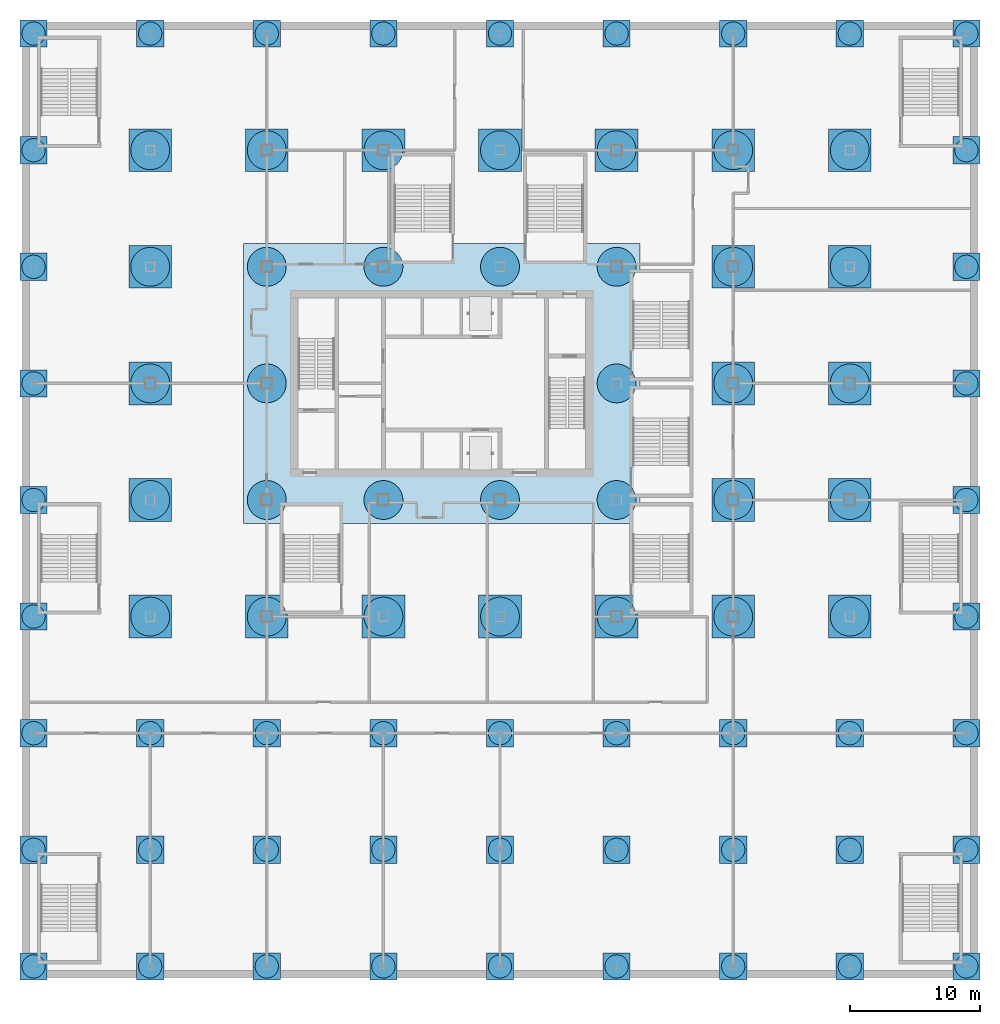
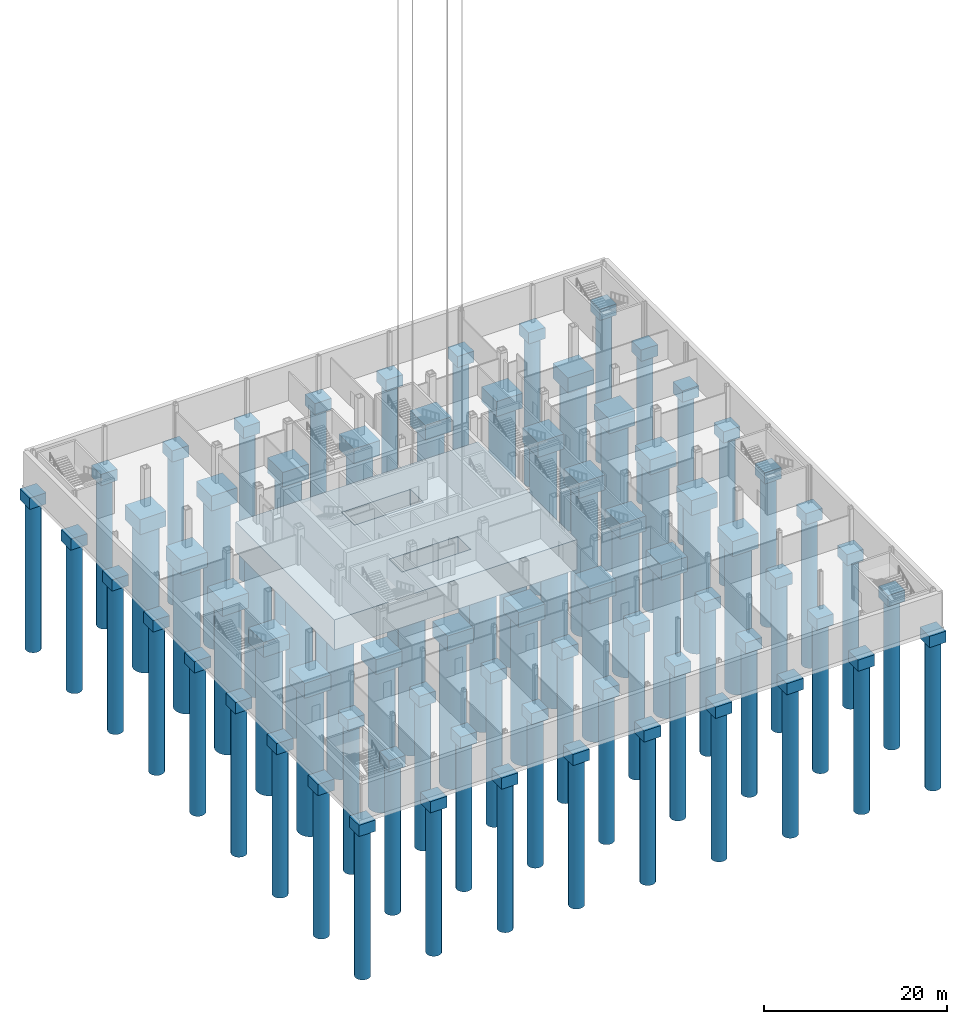
# One storey, part 1 of 28: 79 piles, 70 footings.
"""IFC4 building model written with IfcOpenShell, lengths in metres."""

from ifc_helpers import new_model, si_unit, direction, frame, origin, origin_2d, place, context, subcontext, project, spatial, polyline, rectangle, circle, outline, extrude, material, material_profile, profile_set, type_object, element, save


model = new_model("IFC4")

# Units and contexts
model_context = context("Model", 3, precision=1e-05, world=origin(), true_north=direction((0.0, 1.0)))
body_context = subcontext(model_context, "Body", "Model", "MODEL_VIEW")
ifc_project = project(units=[si_unit("LENGTHUNIT", "METRE"), si_unit("AREAUNIT", "SQUARE_METRE"), si_unit("VOLUMEUNIT", "CUBIC_METRE"), si_unit("PLANEANGLEUNIT", "RADIAN"), si_unit("MASSUNIT", "GRAM", prefix="KILO")], contexts=[model_context])

# Site, building, storey
site_placement = place(None, origin())
site = spatial("IfcSite", under=ifc_project, at=site_placement, CompositionType="ELEMENT")
building_placement = place(site_placement, origin())
building = spatial("IfcBuilding", under=site, at=building_placement, Name="Loomwork Tower", CompositionType="ELEMENT")
storey_placement = place(building_placement, frame((0.0, 0.0, -10.5)))
storey = spatial("IfcBuildingStorey", under=building, at=storey_placement, Name="B2", CompositionType="ELEMENT", Elevation=-10.5)

# Piles
ifc_material_1 = material(Name="Concrete 6000 psi (41 MPa) caisson", Category="concrete")
ifc_material_profile_1 = material_profile(ifc_material_1, circle(Radius=0.89990234375, at=origin_2d()), Name="D1800")
ifc_profile_set_1 = profile_set([ifc_material_profile_1], Name="Concrete 6000 psi (41 MPa) caisson")
pile_type_1 = type_object("IfcPileType", Name="Caisson 1800", PredefinedType="BORED", material=ifc_profile_set_1)
for number, where, z_axis, x_axis, name in (
    (1, (-9.0, -27.0, -2.0), (0.0, 0.0, -1.0), (1.0, 0.0, 0.0), "Caisson A/1"),
    (2, (-9.0, -18.0, -2.0), (0.0, 0.0, -1.0), (1.0, 0.0, 0.0), "Caisson B/1"),
    (3, (-9.0, -9.0, -2.0), (0.0, 0.0, -1.0), (1.0, 0.0, 0.0), "Caisson C/1"),
    (4, (-9.0, 0.0, -2.0), (0.0, 0.0, -1.0), (1.0, 0.0, 0.0), "Caisson D/1"),
    (5, (-9.0, 9.0, -2.0), (0.0, 0.0, -1.0), (1.0, 0.0, 0.0), "Caisson E/1"),
    (6, (-9.0, 18.0, -2.0), (0.0, 0.0, -1.0), (1.0, 0.0, 0.0), "Caisson F/1"),
    (7, (-9.0, 27.0, -2.0), (0.0, 0.0, -1.0), (1.0, 0.0, 0.0), "Caisson G/1"),
    (8, (-9.0, 36.0, -2.0), (0.0, 0.0, -1.0), (1.0, 0.0, 0.0), "Caisson H/1"),
    (9, (-9.0, 45.0, -2.0), (0.0, 0.0, -1.0), (1.0, 0.0, 0.0), "Caisson J/1"),
    (10, (0.0, -27.0, -2.0), (0.0, 0.0, -1.0), (1.0, 0.0, 0.0), "Caisson A/2"),
    (11, (0.0, -18.0, -2.0), (0.0, 0.0, -1.0), (1.0, 0.0, 0.0), "Caisson B/2"),
    (12, (0.0, -9.0, -2.0), (0.0, 0.0, -1.0), (1.0, 0.0, 0.0), "Caisson C/2"),
    (13, (0.0, 45.0, -2.0), (0.0, 0.0, -1.0), (1.0, 0.0, 0.0), "Caisson J/2"),
    (14, (9.0, -27.0, -2.0), (0.0, 0.0, -1.0), (1.0, 0.0, 0.0), "Caisson A/3"),
    (15, (9.0, -18.0, -2.0), (0.0, 0.0, -1.0), (1.0, 0.0, 0.0), "Caisson B/3"),
    (16, (9.0, -9.0, -2.0), (0.0, 0.0, -1.0), (1.0, 0.0, 0.0), "Caisson C/3"),
    (17, (9.0, 45.0, -2.0), (0.0, 0.0, -1.0), (1.0, 0.0, 0.0), "Caisson J/3"),
    (18, (18.0, -27.0, -2.0), (0.0, 0.0, -1.0), (1.0, 0.0, 0.0), "Caisson A/4"),
    (19, (18.0, -18.0, -2.0), (0.0, 0.0, -1.0), (1.0, 0.0, 0.0), "Caisson B/4"),
    (20, (18.0, -9.0, -2.0), (0.0, 0.0, -1.0), (1.0, 0.0, 0.0), "Caisson C/4"),
    (21, (18.0, 45.0, -2.0), (0.0, 0.0, -1.0), (1.0, 0.0, 0.0), "Caisson J/4"),
    (22, (27.0, -27.0, -2.0), (0.0, 0.0, -1.0), (1.0, 0.0, 0.0), "Caisson A/5"),
    (23, (27.0, -18.0, -2.0), (0.0, 0.0, -1.0), (1.0, 0.0, 0.0), "Caisson B/5"),
    (24, (27.0, -9.0, -2.0), (0.0, 0.0, -1.0), (1.0, 0.0, 0.0), "Caisson C/5"),
    (25, (27.0, 45.0, -2.0), (0.0, 0.0, -1.0), (1.0, 0.0, 0.0), "Caisson J/5"),
    (26, (36.0, -27.0, -2.0), (0.0, 0.0, -1.0), (1.0, 0.0, 0.0), "Caisson A/6"),
    (27, (36.0, -18.0, -2.0), (0.0, 0.0, -1.0), (1.0, 0.0, 0.0), "Caisson B/6"),
    (28, (36.0, -9.0, -2.0), (0.0, 0.0, -1.0), (1.0, 0.0, 0.0), "Caisson C/6"),
    (29, (36.0, 45.0, -2.0), (0.0, 0.0, -1.0), (1.0, 0.0, 0.0), "Caisson J/6"),
    (30, (45.0, -27.0, -2.0), (0.0, 0.0, -1.0), (1.0, 0.0, 0.0), "Caisson A/7"),
    (31, (45.0, -18.0, -2.0), (0.0, 0.0, -1.0), (1.0, 0.0, 0.0), "Caisson B/7"),
    (32, (45.0, -9.0, -2.0), (0.0, 0.0, -1.0), (1.0, 0.0, 0.0), "Caisson C/7"),
    (33, (45.0, 45.0, -2.0), (0.0, 0.0, -1.0), (1.0, 0.0, 0.0), "Caisson J/7"),
    (34, (54.0, -27.0, -2.0), (0.0, 0.0, -1.0), (1.0, 0.0, 0.0), "Caisson A/8"),
    (35, (54.0, -18.0, -2.0), (0.0, 0.0, -1.0), (1.0, 0.0, 0.0), "Caisson B/8"),
    (36, (54.0, -9.0, -2.0), (0.0, 0.0, -1.0), (1.0, 0.0, 0.0), "Caisson C/8"),
    (37, (54.0, 45.0, -2.0), (0.0, 0.0, -1.0), (1.0, 0.0, 0.0), "Caisson J/8"),
    (38, (63.0, -27.0, -2.0), (0.0, 0.0, -1.0), (1.0, 0.0, 0.0), "Caisson A/9"),
    (39, (63.0, -18.0, -2.0), (0.0, 0.0, -1.0), (1.0, 0.0, 0.0), "Caisson B/9"),
    (40, (63.0, -9.0, -2.0), (0.0, 0.0, -1.0), (1.0, 0.0, 0.0), "Caisson C/9"),
    (41, (63.0, 0.0, -2.0), (0.0, 0.0, -1.0), (1.0, 0.0, 0.0), "Caisson D/9"),
    (42, (63.0, 9.0, -2.0), (0.0, 0.0, -1.0), (1.0, 0.0, 0.0), "Caisson E/9"),
    (43, (63.0, 18.0, -2.0), (0.0, 0.0, -1.0), (1.0, 0.0, 0.0), "Caisson F/9"),
    (44, (63.0, 27.0, -2.0), (0.0, 0.0, -1.0), (1.0, 0.0, 0.0), "Caisson G/9"),
    (45, (63.0, 36.0, -2.0), (0.0, 0.0, -1.0), (1.0, 0.0, 0.0), "Caisson H/9"),
    (46, (63.0, 45.0, -2.0), (0.0, 0.0, -1.0), (1.0, 0.0, 0.0), "Caisson J/9"),
):
    element("IfcPile", number, at=place(storey_placement, frame(where, z_axis=z_axis, x_axis=x_axis)), inside=storey, type_object=pile_type_1, Name=name, PredefinedType="BORED", context=body_context, shape_type="SweptSolid", body=[
        extrude(circle(Radius=0.89990234375, at=origin_2d()), origin(), (0.0, 0.0, 1.0), 19.5),
    ])
ifc_material_2 = material(Name="Concrete 6000 psi (41 MPa) caisson", Category="concrete")
ifc_material_profile_2 = material_profile(ifc_material_2, circle(Radius=1.5, at=origin_2d()), Name="D3000")
ifc_profile_set_2 = profile_set([ifc_material_profile_2], Name="Concrete 6000 psi (41 MPa) caisson")
pile_type_2 = type_object("IfcPileType", Name="Caisson 3000", PredefinedType="BORED", material=ifc_profile_set_2)
for number, where, z_axis, x_axis, name in (
    (47, (0.0, 0.0, -2.5), (0.0, 0.0, -1.0), (1.0, 0.0, 0.0), "Caisson D/2"),
    (48, (0.0, 9.0, -2.5), (0.0, 0.0, -1.0), (1.0, 0.0, 0.0), "Caisson E/2"),
    (49, (0.0, 18.0, -2.5), (0.0, 0.0, -1.0), (1.0, 0.0, 0.0), "Caisson F/2"),
    (50, (0.0, 27.0, -2.5), (0.0, 0.0, -1.0), (1.0, 0.0, 0.0), "Caisson G/2"),
    (51, (0.0, 36.0, -2.5), (0.0, 0.0, -1.0), (1.0, 0.0, 0.0), "Caisson H/2"),
    (52, (9.0, 0.0, -2.5), (0.0, 0.0, -1.0), (1.0, 0.0, 0.0), "Caisson D/3"),
):
    element("IfcPile", number, at=place(storey_placement, frame(where, z_axis=z_axis, x_axis=x_axis)), inside=storey, type_object=pile_type_2, Name=name, PredefinedType="BORED", context=body_context, shape_type="SweptSolid", body=[
        extrude(circle(Radius=1.5, at=origin_2d()), origin(), (0.0, 0.0, 1.0), 19.0),
    ])
for number, where, z_axis, x_axis, name in (
    (53, (9.0, 9.0, -4.5), (0.0, 0.0, -1.0), (1.0, 0.0, 0.0), "Caisson E/3"),
    (54, (9.0, 18.0, -4.5), (0.0, 0.0, -1.0), (1.0, 0.0, 0.0), "Caisson F/3"),
    (55, (9.0, 27.0, -4.5), (0.0, 0.0, -1.0), (1.0, 0.0, 0.0), "Caisson G/3"),
):
    element("IfcPile", number, at=place(storey_placement, frame(where, z_axis=z_axis, x_axis=x_axis)), inside=storey, type_object=pile_type_2, Name=name, PredefinedType="BORED", context=body_context, shape_type="SweptSolid", body=[
        extrude(circle(Radius=1.5, at=origin_2d()), origin(), (0.0, 0.0, 1.0), 18.0),
    ])
for number, where, z_axis, x_axis, name in (
    (56, (9.0, 36.0, -2.5), (0.0, 0.0, -1.0), (1.0, 0.0, 0.0), "Caisson H/3"),
    (57, (18.0, 0.0, -2.5), (0.0, 0.0, -1.0), (1.0, 0.0, 0.0), "Caisson D/4"),
):
    element("IfcPile", number, at=place(storey_placement, frame(where, z_axis=z_axis, x_axis=x_axis)), inside=storey, type_object=pile_type_2, Name=name, PredefinedType="BORED", context=body_context, shape_type="SweptSolid", body=[
        extrude(circle(Radius=1.5, at=origin_2d()), origin(), (0.0, 0.0, 1.0), 19.0),
    ])
for number, where, z_axis, x_axis, name in (
    (58, (18.0, 9.0, -4.5), (0.0, 0.0, -1.0), (1.0, 0.0, 0.0), "Caisson E/4"),
    (59, (18.0, 27.0, -4.5), (0.0, 0.0, -1.0), (1.0, 0.0, 0.0), "Caisson G/4"),
):
    element("IfcPile", number, at=place(storey_placement, frame(where, z_axis=z_axis, x_axis=x_axis)), inside=storey, type_object=pile_type_2, Name=name, PredefinedType="BORED", context=body_context, shape_type="SweptSolid", body=[
        extrude(circle(Radius=1.5, at=origin_2d()), origin(), (0.0, 0.0, 1.0), 18.0),
    ])
for number, where, z_axis, x_axis, name in (
    (60, (18.0, 36.0, -2.5), (0.0, 0.0, -1.0), (1.0, 0.0, 0.0), "Caisson H/4"),
    (61, (27.0, 0.0, -2.5), (0.0, 0.0, -1.0), (1.0, 0.0, 0.0), "Caisson D/5"),
):
    element("IfcPile", number, at=place(storey_placement, frame(where, z_axis=z_axis, x_axis=x_axis)), inside=storey, type_object=pile_type_2, Name=name, PredefinedType="BORED", context=body_context, shape_type="SweptSolid", body=[
        extrude(circle(Radius=1.5, at=origin_2d()), origin(), (0.0, 0.0, 1.0), 19.0),
    ])
for number, where, z_axis, x_axis, name in (
    (62, (27.0, 9.0, -4.5), (0.0, 0.0, -1.0), (1.0, 0.0, 0.0), "Caisson E/5"),
    (63, (27.0, 27.0, -4.5), (0.0, 0.0, -1.0), (1.0, 0.0, 0.0), "Caisson G/5"),
):
    element("IfcPile", number, at=place(storey_placement, frame(where, z_axis=z_axis, x_axis=x_axis)), inside=storey, type_object=pile_type_2, Name=name, PredefinedType="BORED", context=body_context, shape_type="SweptSolid", body=[
        extrude(circle(Radius=1.5, at=origin_2d()), origin(), (0.0, 0.0, 1.0), 18.0),
    ])
for number, where, z_axis, x_axis, name in (
    (64, (27.0, 36.0, -2.5), (0.0, 0.0, -1.0), (1.0, 0.0, 0.0), "Caisson H/5"),
    (65, (36.0, 0.0, -2.5), (0.0, 0.0, -1.0), (1.0, 0.0, 0.0), "Caisson D/6"),
):
    element("IfcPile", number, at=place(storey_placement, frame(where, z_axis=z_axis, x_axis=x_axis)), inside=storey, type_object=pile_type_2, Name=name, PredefinedType="BORED", context=body_context, shape_type="SweptSolid", body=[
        extrude(circle(Radius=1.5, at=origin_2d()), origin(), (0.0, 0.0, 1.0), 19.0),
    ])
for number, where, z_axis, x_axis, name in (
    (66, (36.0, 9.0, -4.5), (0.0, 0.0, -1.0), (1.0, 0.0, 0.0), "Caisson E/6"),
    (67, (36.0, 18.0, -4.5), (0.0, 0.0, -1.0), (1.0, 0.0, 0.0), "Caisson F/6"),
    (68, (36.0, 27.0, -4.5), (0.0, 0.0, -1.0), (1.0, 0.0, 0.0), "Caisson G/6"),
):
    element("IfcPile", number, at=place(storey_placement, frame(where, z_axis=z_axis, x_axis=x_axis)), inside=storey, type_object=pile_type_2, Name=name, PredefinedType="BORED", context=body_context, shape_type="SweptSolid", body=[
        extrude(circle(Radius=1.5, at=origin_2d()), origin(), (0.0, 0.0, 1.0), 18.0),
    ])
for number, where, z_axis, x_axis, name in (
    (69, (36.0, 36.0, -2.5), (0.0, 0.0, -1.0), (1.0, 0.0, 0.0), "Caisson H/6"),
    (70, (45.0, 0.0, -2.5), (0.0, 0.0, -1.0), (1.0, 0.0, 0.0), "Caisson D/7"),
    (71, (45.0, 9.0, -2.5), (0.0, 0.0, -1.0), (1.0, 0.0, 0.0), "Caisson E/7"),
    (72, (45.0, 18.0, -2.5), (0.0, 0.0, -1.0), (1.0, 0.0, 0.0), "Caisson F/7"),
    (73, (45.0, 27.0, -2.5), (0.0, 0.0, -1.0), (1.0, 0.0, 0.0), "Caisson G/7"),
    (74, (45.0, 36.0, -2.5), (0.0, 0.0, -1.0), (1.0, 0.0, 0.0), "Caisson H/7"),
    (75, (54.0, 0.0, -2.5), (0.0, 0.0, -1.0), (1.0, 0.0, 0.0), "Caisson D/8"),
    (76, (54.0, 9.0, -2.5), (0.0, 0.0, -1.0), (1.0, 0.0, 0.0), "Caisson E/8"),
    (77, (54.0, 18.0, -2.5), (0.0, 0.0, -1.0), (1.0, 0.0, 0.0), "Caisson F/8"),
    (78, (54.0, 27.0, -2.5), (0.0, 0.0, -1.0), (1.0, 0.0, 0.0), "Caisson G/8"),
    (79, (54.0, 36.0, -2.5), (0.0, 0.0, -1.0), (1.0, 0.0, 0.0), "Caisson H/8"),
):
    element("IfcPile", number, at=place(storey_placement, frame(where, z_axis=z_axis, x_axis=x_axis)), inside=storey, type_object=pile_type_2, Name=name, PredefinedType="BORED", context=body_context, shape_type="SweptSolid", body=[
        extrude(circle(Radius=1.5, at=origin_2d()), origin(), (0.0, 0.0, 1.0), 19.0),
    ])

# Footings
ifc_material_3 = material(Name="Concrete 6000 psi (41 MPa)", Category="concrete")
footing_type_1 = type_object("IfcFootingType", Name="Core mat 4000", PredefinedType="PAD_FOOTING", material=ifc_material_3)
footing_placement = place(storey_placement, frame((0.0, 0.0, -4.5)))
element("IfcFooting", 80, at=footing_placement, inside=storey, type_object=footing_type_1, Name="Core mat", PredefinedType="PAD_FOOTING", context=body_context, shape_type="SweptSolid", body=[
    extrude(outline(polyline([(7.199951171875, 7.199951171875), (37.800048828125, 7.199951171875), (37.800048828125, 28.800048828125), (7.199951171875, 28.800048828125), (7.199951171875, 7.199951171875)]), holes=[polyline([(18.14990234375, 11.39990234375), (26.85009765625, 11.39990234375), (26.85009765625, 14.25), (18.14990234375, 14.25), (18.14990234375, 11.39990234375)]), polyline([(18.14990234375, 21.75), (26.85009765625, 21.75), (26.85009765625, 24.60009765625), (18.14990234375, 24.60009765625), (18.14990234375, 21.75)])]), origin(), (0.0, 0.0, 1.0), 4.0),
])
ifc_material_4 = material(Name="Concrete 6000 psi (41 MPa)", Category="concrete")
footing_type_2 = type_object("IfcFootingType", Name="Pile cap podium 2100", PredefinedType="PILE_CAP", material=ifc_material_4)
for number, where, z_axis, x_axis, name in (
    (81, (-9.0, -27.0, -2.0), (0.0, 0.0, 1.0), (1.0, 0.0, 0.0), "Pile cap A/1"),
    (82, (-9.0, -18.0, -2.0), (0.0, 0.0, 1.0), (1.0, 0.0, 0.0), "Pile cap B/1"),
    (83, (-9.0, -9.0, -2.0), (0.0, 0.0, 1.0), (1.0, 0.0, 0.0), "Pile cap C/1"),
    (84, (-9.0, 0.0, -2.0), (0.0, 0.0, 1.0), (1.0, 0.0, 0.0), "Pile cap D/1"),
    (85, (-9.0, 9.0, -2.0), (0.0, 0.0, 1.0), (1.0, 0.0, 0.0), "Pile cap E/1"),
    (86, (-9.0, 18.0, -2.0), (0.0, 0.0, 1.0), (1.0, 0.0, 0.0), "Pile cap F/1"),
    (87, (-9.0, 27.0, -2.0), (0.0, 0.0, 1.0), (1.0, 0.0, 0.0), "Pile cap G/1"),
    (88, (-9.0, 36.0, -2.0), (0.0, 0.0, 1.0), (1.0, 0.0, 0.0), "Pile cap H/1"),
    (89, (-9.0, 45.0, -2.0), (0.0, 0.0, 1.0), (1.0, 0.0, 0.0), "Pile cap J/1"),
    (90, (0.0, -27.0, -2.0), (0.0, 0.0, 1.0), (1.0, 0.0, 0.0), "Pile cap A/2"),
    (91, (0.0, -18.0, -2.0), (0.0, 0.0, 1.0), (1.0, 0.0, 0.0), "Pile cap B/2"),
    (92, (0.0, -9.0, -2.0), (0.0, 0.0, 1.0), (1.0, 0.0, 0.0), "Pile cap C/2"),
    (93, (0.0, 45.0, -2.0), (0.0, 0.0, 1.0), (1.0, 0.0, 0.0), "Pile cap J/2"),
    (94, (9.0, -27.0, -2.0), (0.0, 0.0, 1.0), (1.0, 0.0, 0.0), "Pile cap A/3"),
    (95, (9.0, -18.0, -2.0), (0.0, 0.0, 1.0), (1.0, 0.0, 0.0), "Pile cap B/3"),
    (96, (9.0, -9.0, -2.0), (0.0, 0.0, 1.0), (1.0, 0.0, 0.0), "Pile cap C/3"),
    (97, (9.0, 45.0, -2.0), (0.0, 0.0, 1.0), (1.0, 0.0, 0.0), "Pile cap J/3"),
    (98, (18.0, -27.0, -2.0), (0.0, 0.0, 1.0), (1.0, 0.0, 0.0), "Pile cap A/4"),
    (99, (18.0, -18.0, -2.0), (0.0, 0.0, 1.0), (1.0, 0.0, 0.0), "Pile cap B/4"),
    (100, (18.0, -9.0, -2.0), (0.0, 0.0, 1.0), (1.0, 0.0, 0.0), "Pile cap C/4"),
    (101, (18.0, 45.0, -2.0), (0.0, 0.0, 1.0), (1.0, 0.0, 0.0), "Pile cap J/4"),
    (102, (27.0, -27.0, -2.0), (0.0, 0.0, 1.0), (1.0, 0.0, 0.0), "Pile cap A/5"),
    (103, (27.0, -18.0, -2.0), (0.0, 0.0, 1.0), (1.0, 0.0, 0.0), "Pile cap B/5"),
    (104, (27.0, -9.0, -2.0), (0.0, 0.0, 1.0), (1.0, 0.0, 0.0), "Pile cap C/5"),
    (105, (27.0, 45.0, -2.0), (0.0, 0.0, 1.0), (1.0, 0.0, 0.0), "Pile cap J/5"),
    (106, (36.0, -27.0, -2.0), (0.0, 0.0, 1.0), (1.0, 0.0, 0.0), "Pile cap A/6"),
    (107, (36.0, -18.0, -2.0), (0.0, 0.0, 1.0), (1.0, 0.0, 0.0), "Pile cap B/6"),
    (108, (36.0, -9.0, -2.0), (0.0, 0.0, 1.0), (1.0, 0.0, 0.0), "Pile cap C/6"),
    (109, (36.0, 45.0, -2.0), (0.0, 0.0, 1.0), (1.0, 0.0, 0.0), "Pile cap J/6"),
    (110, (45.0, -27.0, -2.0), (0.0, 0.0, 1.0), (1.0, 0.0, 0.0), "Pile cap A/7"),
    (111, (45.0, -18.0, -2.0), (0.0, 0.0, 1.0), (1.0, 0.0, 0.0), "Pile cap B/7"),
    (112, (45.0, -9.0, -2.0), (0.0, 0.0, 1.0), (1.0, 0.0, 0.0), "Pile cap C/7"),
    (113, (45.0, 45.0, -2.0), (0.0, 0.0, 1.0), (1.0, 0.0, 0.0), "Pile cap J/7"),
    (114, (54.0, -27.0, -2.0), (0.0, 0.0, 1.0), (1.0, 0.0, 0.0), "Pile cap A/8"),
    (115, (54.0, -18.0, -2.0), (0.0, 0.0, 1.0), (1.0, 0.0, 0.0), "Pile cap B/8"),
    (116, (54.0, -9.0, -2.0), (0.0, 0.0, 1.0), (1.0, 0.0, 0.0), "Pile cap C/8"),
    (117, (54.0, 45.0, -2.0), (0.0, 0.0, 1.0), (1.0, 0.0, 0.0), "Pile cap J/8"),
    (118, (63.0, -27.0, -2.0), (0.0, 0.0, 1.0), (1.0, 0.0, 0.0), "Pile cap A/9"),
    (119, (63.0, -18.0, -2.0), (0.0, 0.0, 1.0), (1.0, 0.0, 0.0), "Pile cap B/9"),
    (120, (63.0, -9.0, -2.0), (0.0, 0.0, 1.0), (1.0, 0.0, 0.0), "Pile cap C/9"),
    (121, (63.0, 0.0, -2.0), (0.0, 0.0, 1.0), (1.0, 0.0, 0.0), "Pile cap D/9"),
    (122, (63.0, 9.0, -2.0), (0.0, 0.0, 1.0), (1.0, 0.0, 0.0), "Pile cap E/9"),
    (123, (63.0, 18.0, -2.0), (0.0, 0.0, 1.0), (1.0, 0.0, 0.0), "Pile cap F/9"),
    (124, (63.0, 27.0, -2.0), (0.0, 0.0, 1.0), (1.0, 0.0, 0.0), "Pile cap G/9"),
    (125, (63.0, 36.0, -2.0), (0.0, 0.0, 1.0), (1.0, 0.0, 0.0), "Pile cap H/9"),
    (126, (63.0, 45.0, -2.0), (0.0, 0.0, 1.0), (1.0, 0.0, 0.0), "Pile cap J/9"),
):
    element("IfcFooting", number, at=place(storey_placement, frame(where, z_axis=z_axis, x_axis=x_axis)), inside=storey, type_object=footing_type_2, Name=name, PredefinedType="PILE_CAP", context=body_context, shape_type="SweptSolid", body=[
        extrude(rectangle(XDim=2.10009765625, YDim=2.10009765625, at=origin_2d()), origin(), (0.0, 0.0, 1.0), 1.5),
    ])
ifc_material_5 = material(Name="Concrete 6000 psi (41 MPa)", Category="concrete")
footing_type_3 = type_object("IfcFootingType", Name="Pile cap tower 3300", PredefinedType="PILE_CAP", material=ifc_material_5)
for number, where, z_axis, x_axis, name in (
    (127, (0.0, 0.0, -2.5), (0.0, 0.0, 1.0), (1.0, 0.0, 0.0), "Pile cap D/2"),
    (128, (0.0, 9.0, -2.5), (0.0, 0.0, 1.0), (1.0, 0.0, 0.0), "Pile cap E/2"),
    (129, (0.0, 18.0, -2.5), (0.0, 0.0, 1.0), (1.0, 0.0, 0.0), "Pile cap F/2"),
    (130, (0.0, 27.0, -2.5), (0.0, 0.0, 1.0), (1.0, 0.0, 0.0), "Pile cap G/2"),
    (131, (0.0, 36.0, -2.5), (0.0, 0.0, 1.0), (1.0, 0.0, 0.0), "Pile cap H/2"),
    (132, (9.0, 0.0, -2.5), (0.0, 0.0, 1.0), (1.0, 0.0, 0.0), "Pile cap D/3"),
    (133, (9.0, 36.0, -2.5), (0.0, 0.0, 1.0), (1.0, 0.0, 0.0), "Pile cap H/3"),
    (134, (18.0, 0.0, -2.5), (0.0, 0.0, 1.0), (1.0, 0.0, 0.0), "Pile cap D/4"),
    (135, (18.0, 36.0, -2.5), (0.0, 0.0, 1.0), (1.0, 0.0, 0.0), "Pile cap H/4"),
    (136, (27.0, 0.0, -2.5), (0.0, 0.0, 1.0), (1.0, 0.0, 0.0), "Pile cap D/5"),
    (137, (27.0, 36.0, -2.5), (0.0, 0.0, 1.0), (1.0, 0.0, 0.0), "Pile cap H/5"),
    (138, (36.0, 0.0, -2.5), (0.0, 0.0, 1.0), (1.0, 0.0, 0.0), "Pile cap D/6"),
    (139, (36.0, 36.0, -2.5), (0.0, 0.0, 1.0), (1.0, 0.0, 0.0), "Pile cap H/6"),
    (140, (45.0, 0.0, -2.5), (0.0, 0.0, 1.0), (1.0, 0.0, 0.0), "Pile cap D/7"),
    (141, (45.0, 9.0, -2.5), (0.0, 0.0, 1.0), (1.0, 0.0, 0.0), "Pile cap E/7"),
    (142, (45.0, 18.0, -2.5), (0.0, 0.0, 1.0), (1.0, 0.0, 0.0), "Pile cap F/7"),
    (143, (45.0, 27.0, -2.5), (0.0, 0.0, 1.0), (1.0, 0.0, 0.0), "Pile cap G/7"),
    (144, (45.0, 36.0, -2.5), (0.0, 0.0, 1.0), (1.0, 0.0, 0.0), "Pile cap H/7"),
    (145, (54.0, 0.0, -2.5), (0.0, 0.0, 1.0), (1.0, 0.0, 0.0), "Pile cap D/8"),
    (146, (54.0, 9.0, -2.5), (0.0, 0.0, 1.0), (1.0, 0.0, 0.0), "Pile cap E/8"),
    (147, (54.0, 18.0, -2.5), (0.0, 0.0, 1.0), (1.0, 0.0, 0.0), "Pile cap F/8"),
    (148, (54.0, 27.0, -2.5), (0.0, 0.0, 1.0), (1.0, 0.0, 0.0), "Pile cap G/8"),
    (149, (54.0, 36.0, -2.5), (0.0, 0.0, 1.0), (1.0, 0.0, 0.0), "Pile cap H/8"),
):
    element("IfcFooting", number, at=place(storey_placement, frame(where, z_axis=z_axis, x_axis=x_axis)), inside=storey, type_object=footing_type_3, Name=name, PredefinedType="PILE_CAP", context=body_context, shape_type="SweptSolid", body=[
        extrude(rectangle(XDim=3.300048828125, YDim=3.300048828125, at=origin_2d()), origin(), (0.0, 0.0, 1.0), 2.0),
    ])

save(model, "model.ifc")
